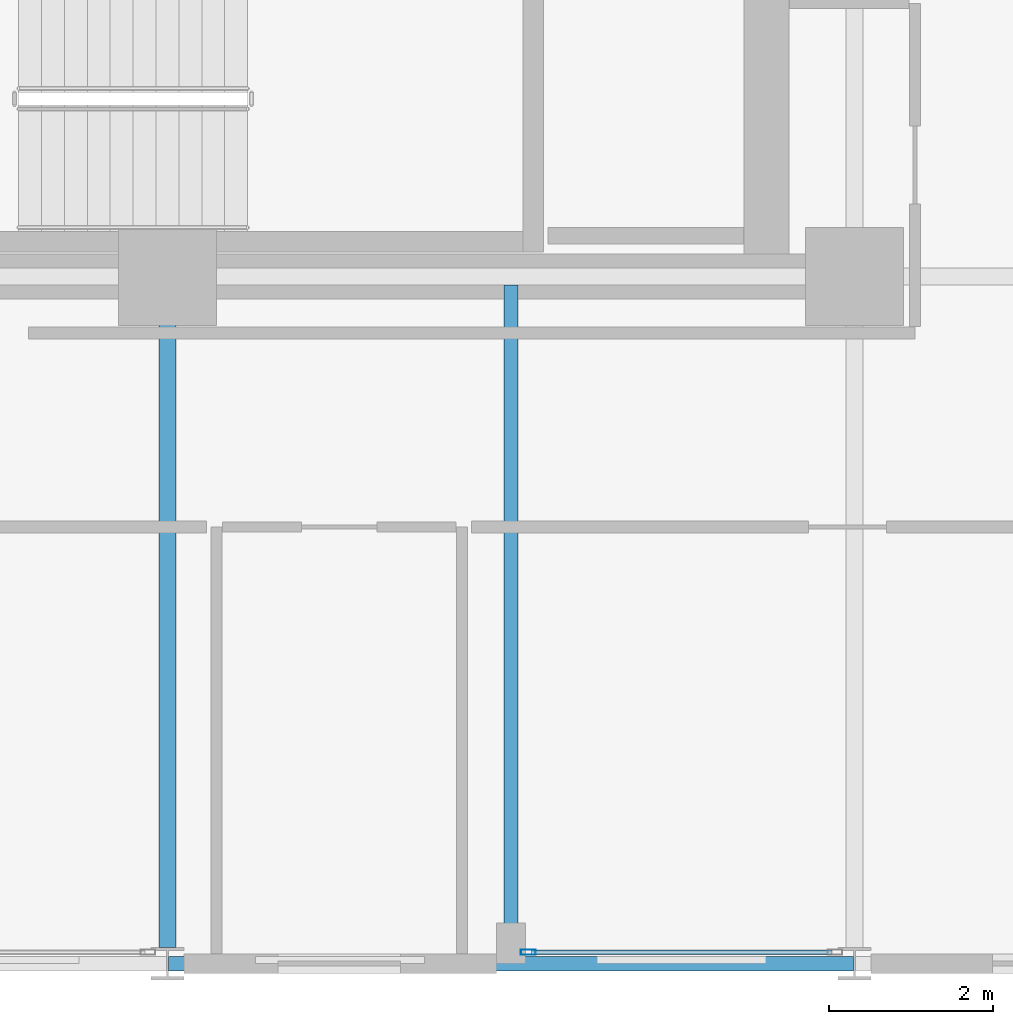
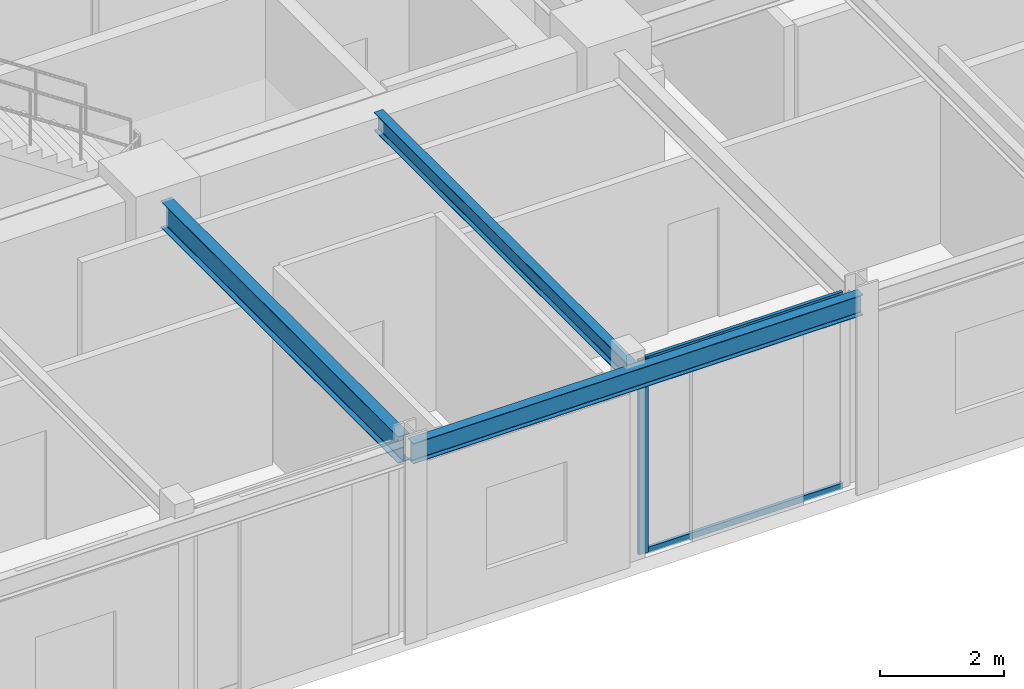
# One storey, part 9 of 38: 3 beams, 3 members, 1 element without a shape of its own.
"""IFC4 building model written with IfcOpenShell, lengths in metres."""

from ifc_helpers import new_model, si_unit, direction, frame, origin, origin_2d, place, context, subcontext, project, spatial, hollow_rectangle, i_section, extrude, material, layer, layer_set, material_profile, profile_set, type_object, element, aggregate, save


model = new_model("IFC4")

# Units and contexts
model_context = context("Model", 3, precision=1e-05, world=origin(), true_north=direction((0.0, 1.0)))
body_context = subcontext(model_context, "Body", "Model", "MODEL_VIEW")
ifc_project = project(units=[si_unit("LENGTHUNIT", "METRE"), si_unit("AREAUNIT", "SQUARE_METRE"), si_unit("VOLUMEUNIT", "CUBIC_METRE"), si_unit("PLANEANGLEUNIT", "RADIAN"), si_unit("MASSUNIT", "GRAM", prefix="KILO")], contexts=[model_context])

# Site, building, storey
site_placement = place(None, origin())
site = spatial("IfcSite", under=ifc_project, at=site_placement, CompositionType="ELEMENT")
building_placement = place(site_placement, origin())
building = spatial("IfcBuilding", under=site, at=building_placement, Name="Nerrivon Quay Data Exchange", CompositionType="ELEMENT")
storey_placement = place(building_placement, frame((0.0, 0.0, 84.39990234375)))
storey = spatial("IfcBuildingStorey", under=building, at=storey_placement, Name="L19", CompositionType="ELEMENT", Elevation=84.39990234375)

# Beams
ifc_material_1 = material(Name="Steel Grade 350", Category="steel")
ifc_material_profile_1 = material_profile(ifc_material_1, i_section(OverallWidth=0.208984375, OverallDepth=0.528076171875, WebThickness=0.009521484375, FlangeThickness=0.01318359375, FilletRadius=0.013916015625, at=origin_2d()), Name="530UB82.0")
ifc_profile_set_1 = profile_set([ifc_material_profile_1], Name="Steel Grade 350")
beam_type_1 = type_object("IfcBeamType", Name="BM-G4-530UB82", PredefinedType="BEAM", material=ifc_profile_set_1)
beam_1_placement = place(storey_placement, frame((25.199951171875, 0.199951171875, 3.56103515625), z_axis=(0.0, 1.0, 0.0), x_axis=(-1.0, 0.0, 0.0)))
element("IfcBeam", 1, at=beam_1_placement, inside=storey, type_object=beam_type_1, Name="L19 NS Girder X=25.2 (0.0..8.4)", PredefinedType="BEAM", context=body_context, shape_type="SweptSolid", body=[
    extrude(i_section(OverallWidth=0.208984375, OverallDepth=0.528076171875, WebThickness=0.009521484375, FlangeThickness=0.01318359375, FilletRadius=0.013916015625, at=origin_2d()), origin(), (0.0, 0.0, 1.0), 7.66015625),
])
ifc_material_profile_2 = material_profile(ifc_material_1, i_section(OverallWidth=0.1708984375, OverallDepth=0.35595703125, WebThickness=0.00732421875, FlangeThickness=0.011474609375, FilletRadius=0.011474609375, at=origin_2d()), Name="360UB50.7")
ifc_profile_set_2 = profile_set([ifc_material_profile_2], Name="Steel Grade 350")
beam_type_2 = type_object("IfcBeamType", Name="BM-J4-360UB51", PredefinedType="JOIST", material=ifc_profile_set_2)
beam_2_placement = place(storey_placement, frame((29.39990234375, 0.089111328125, 3.647216796875), z_axis=(0.0, 1.0, 0.0), x_axis=(-1.0, 0.0, 0.0)))
element("IfcBeam", 2, at=beam_2_placement, inside=storey, type_object=beam_type_2, Name="L19 Secondary Joist X=29.4 (0.0..8.4)", PredefinedType="JOIST", context=body_context, shape_type="SweptSolid", body=[
    extrude(i_section(OverallWidth=0.1708984375, OverallDepth=0.35595703125, WebThickness=0.00732421875, FlangeThickness=0.011474609375, FilletRadius=0.011474609375, at=origin_2d()), origin(), (0.0, 0.0, 1.0), 8.206298828125),
])
ifc_material_profile_3 = material_profile(ifc_material_1, i_section(OverallWidth=0.177978515625, OverallDepth=0.403076171875, WebThickness=0.007568359375, FlangeThickness=0.010986328125, FilletRadius=0.011474609375, at=origin_2d()), Name="410UB53.7")
ifc_profile_set_3 = profile_set([ifc_material_profile_3], Name="Steel Grade 350")
beam_type_3 = type_object("IfcBeamType", Name="BM-SP2-410UB54", PredefinedType="SPANDREL", material=ifc_profile_set_3)
beam_3_placement = place(storey_placement, frame((25.21240234375, 0.0, 3.62353515625), z_axis=(1.0, 0.0, 0.0), x_axis=(0.0, 1.0, 0.0)))
element("IfcBeam", 3, at=beam_3_placement, inside=storey, type_object=beam_type_3, Name="L19 EW Girder Y=0.0 (25.2..33.6)", PredefinedType="SPANDREL", context=body_context, shape_type="SweptSolid", body=[
    extrude(i_section(OverallWidth=0.177978515625, OverallDepth=0.403076171875, WebThickness=0.007568359375, FlangeThickness=0.010986328125, FilletRadius=0.011474609375, at=origin_2d()), origin(), (0.0, 0.0, 1.0), 8.375),
])

# Curtain wall, members
ifc_material_2 = material(Name="Anodised aluminium 6063-T6", Category="aluminium")
ifc_layer = layer(ifc_material_2, 0.2099609375)
ifc_layer_set = layer_set([ifc_layer], Name="Anodised aluminium 6063-T6")
curtain_wall_type = type_object("IfcCurtainWallType", Name="CW-SYS-02", PredefinedType="NOTDEFINED", material=ifc_layer_set)
curtain_wall_placement = place(storey_placement, origin())
curtain_wall = element("IfcCurtainWall", 4, at=curtain_wall_placement, inside=storey, type_object=curtain_wall_type, Name="L19 Unitised Curtain Wall 8", PredefinedType="NOTDEFINED")
ifc_material_profile_4 = material_profile(ifc_material_2, hollow_rectangle(XDim=0.06494140625, YDim=0.179931640625, WallThickness=0.00341796875, at=origin_2d()), Name="ALU-MULL-180x65")
ifc_profile_set_4 = profile_set([ifc_material_profile_4], Name="Anodised aluminium 6063-T6")
member_type_1 = type_object("IfcMemberType", Name="CWM-180x65", PredefinedType="MULLION", material=ifc_profile_set_4)
member_1_placement = place(storey_placement, frame((29.612548828125, 0.139892578125, 0.0), z_axis=(0.0, 0.0, 1.0), x_axis=(0.0, -1.0, 0.0)))
member_1 = element("IfcMember", 5, at=member_1_placement, type_object=member_type_1, Name="CW02 mullion 2", PredefinedType="MULLION", context=body_context, shape_type="SweptSolid", body=[
    extrude(hollow_rectangle(XDim=0.06494140625, YDim=0.179931640625, WallThickness=0.00341796875, at=origin_2d()), origin(), (0.0, 0.0, 1.0), 3.8251953125),
])
ifc_material_profile_5 = material_profile(ifc_material_2, hollow_rectangle(XDim=0.06005859375, YDim=0.1201171875, WallThickness=0.003173828125, at=origin_2d()), Name="ALU-TRAN-120x60")
ifc_profile_set_5 = profile_set([ifc_material_profile_5], Name="Anodised aluminium 6063-T6")
member_type_2 = type_object("IfcMemberType", Name="CWT-120x60", PredefinedType="USERDEFINED", material=ifc_profile_set_5)
member_2_placement = place(storey_placement, frame((33.324951171875, 0.139892578125, 0.03271484375), z_axis=(-1.0, 0.0, 0.0), x_axis=(0.0, -1.0, 0.0)))
member_2 = element("IfcMember", 6, at=member_2_placement, type_object=member_type_2, Name="CW02 transom 1.1", ObjectType="TRANSOM", PredefinedType="USERDEFINED", context=body_context, shape_type="SweptSolid", body=[
    extrude(hollow_rectangle(XDim=0.06005859375, YDim=0.1201171875, WallThickness=0.003173828125, at=origin_2d()), origin(), (0.0, 0.0, 1.0), 3.675048828125),
])
member_3_placement = place(storey_placement, frame((33.324951171875, 0.139892578125, 3.79248046875), z_axis=(-1.0, 0.0, 0.0), x_axis=(0.0, -1.0, 0.0)))
member_3 = element("IfcMember", 7, at=member_3_placement, type_object=member_type_2, Name="CW02 transom 1.2", ObjectType="TRANSOM", PredefinedType="USERDEFINED", context=body_context, shape_type="SweptSolid", body=[
    extrude(hollow_rectangle(XDim=0.06005859375, YDim=0.1201171875, WallThickness=0.003173828125, at=origin_2d()), origin(), (0.0, 0.0, 1.0), 3.675048828125),
])
aggregate(curtain_wall, [member_1, member_2, member_3])

save(model, "model.ifc")
